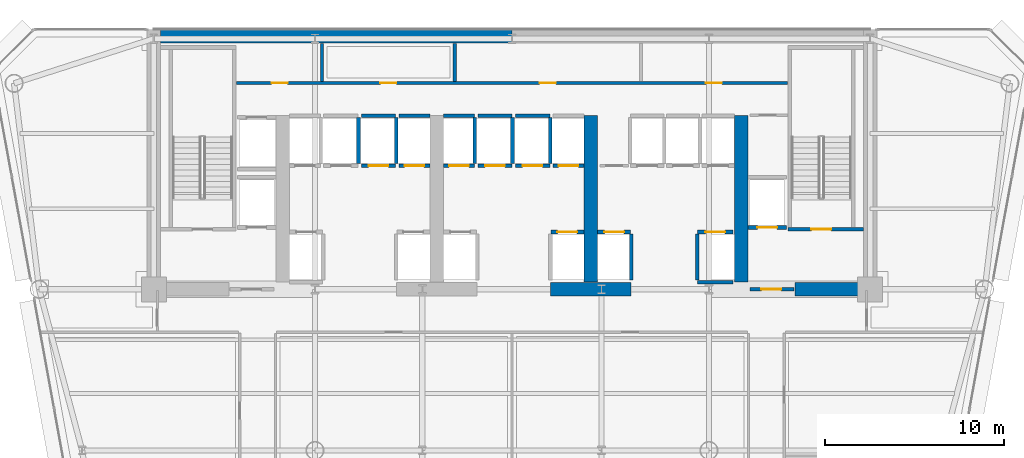
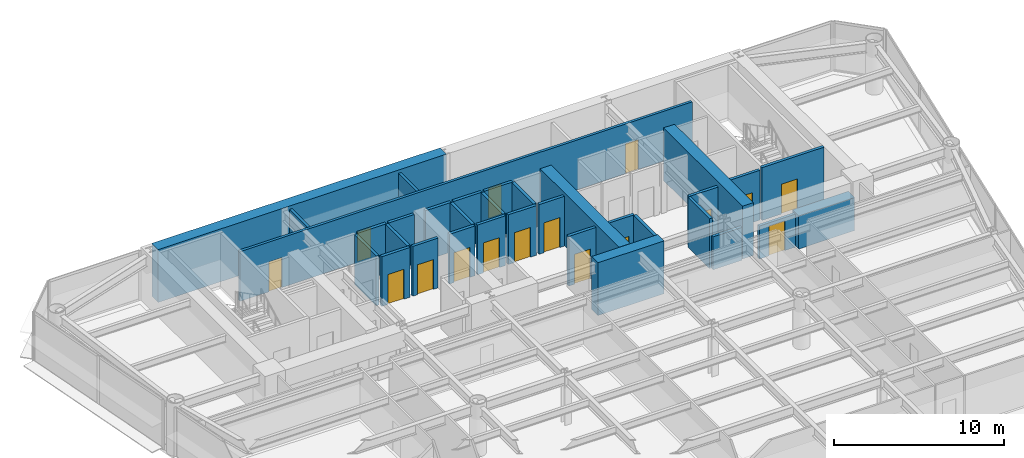
# One storey, part 9 of 14: 33 walls, 16 doors, 16 openings.
"""IFC4 building model written with IfcOpenShell, lengths in metres."""

from ifc_helpers import new_model, si_unit, direction, frame, frame_2d, origin, place, context, subcontext, project, spatial, rectangle, extrude, source, transform, mapped, material, layer, layer_set, type_object, element, fill, save


model = new_model("IFC4")

# Units and contexts
model_context = context("Model", 3, precision=1e-05, world=origin(), true_north=direction((0.0, 1.0)))
body_context = subcontext(model_context, "Body", "Model", "MODEL_VIEW")
ifc_project = project(units=[si_unit("LENGTHUNIT", "METRE"), si_unit("AREAUNIT", "SQUARE_METRE"), si_unit("VOLUMEUNIT", "CUBIC_METRE"), si_unit("PLANEANGLEUNIT", "RADIAN"), si_unit("MASSUNIT", "GRAM", prefix="KILO")], contexts=[model_context])

# Site, building, storey
site_placement = place(None, origin())
site = spatial("IfcSite", under=ifc_project, at=site_placement, CompositionType="ELEMENT")
building_placement = place(site_placement, origin())
building = spatial("IfcBuilding", under=site, at=building_placement, Name="Vaeldorn Concourse Tower", CompositionType="ELEMENT")
storey_placement = place(building_placement, frame((0.0, 0.0, 99.60009765625)))
storey = spatial("IfcBuildingStorey", under=building, at=storey_placement, Name="L25", CompositionType="ELEMENT", Elevation=99.60009765625)

# Walls
ifc_material_1 = material(Name="Concrete C60/75", Category="concrete")
ifc_layer_1 = layer(ifc_material_1, 0.75)
ifc_layer_set_1 = layer_set([ifc_layer_1], Name="Concrete C60/75")
wall_type_1 = type_object("IfcWallType", Name="WL-CORE-750", PredefinedType="SHEAR", material=ifc_layer_set_1)
wall_1_placement = place(storey_placement, frame((14.37890625, 50.625, 0.0), z_axis=(0.0, 0.0, 1.0), x_axis=(1.0, 0.0, 0.0)))
element("IfcWall", 1, at=wall_1_placement, inside=storey, type_object=wall_type_1, Name="Rear Core Shear Wall L25 N1", PredefinedType="SHEAR", context=body_context, shape_type="SweptSolid", body=[
    extrude(rectangle(XDim=19.619140625, YDim=0.75, at=frame_2d((9.8095703125, 0.0))), origin(), (0.0, 0.0, 1.0), 3.7998046875),
])
wall_2_placement = place(storey_placement, frame((36.14990234375, 36.5, 0.0), z_axis=(0.0, 0.0, 1.0), x_axis=(1.0, 0.0, 0.0)))
element("IfcWall", 2, at=wall_2_placement, inside=storey, type_object=wall_type_1, Name="Rear Core Shear Wall L25 S3", PredefinedType="SHEAR", context=body_context, shape_type="SweptSolid", body=[
    extrude(rectangle(XDim=4.5, YDim=0.75, at=frame_2d((2.25, 0.0))), origin(), (0.0, 0.0, 1.0), 3.7998046875),
])
wall_3_placement = place(storey_placement, frame((49.800048828125, 36.5, 0.0), z_axis=(0.0, 0.0, 1.0), x_axis=(1.0, 0.0, 0.0)))
element("IfcWall", 3, at=wall_3_placement, inside=storey, type_object=wall_type_1, Name="Rear Core Shear Wall L25 S4", PredefinedType="SHEAR", context=body_context, shape_type="SweptSolid", body=[
    extrude(rectangle(XDim=3.804931640625, YDim=0.75, at=frame_2d((1.90234375, 0.0))), origin(), (0.0, 0.0, 1.0), 2.3798828125),
])
for number, where, z_axis, x_axis, name in (
    (4, (38.39990234375, 36.89501953125, 0.0), (0.0, 0.0, 1.0), (0.0, 1.0, 0.0), "Rear Core Shear Wall L25 M3"),
    (5, (46.800048828125, 36.89501953125, 0.0), (0.0, 0.0, 1.0), (0.0, 1.0, 0.0), "Rear Core Shear Wall L25 M4"),
):
    element("IfcWall", number, at=place(storey_placement, frame(where, z_axis=z_axis, x_axis=x_axis)), inside=storey, type_object=wall_type_1, Name=name, PredefinedType="SHEAR", context=body_context, shape_type="SweptSolid", body=[
        extrude(rectangle(XDim=9.304931640625, YDim=0.75, at=frame_2d((4.65234375, 0.0))), origin(), (0.0, 0.0, 1.0), 3.7998046875),
    ])

# Wall, openings, doors
ifc_material_2 = material(Name="Gypsum Board Partition", Category="gypsum")
ifc_layer_2 = layer(ifc_material_2, 0.179931640625)
ifc_layer_set_2 = layer_set([ifc_layer_2], Name="Gypsum Board Partition")
wall_type_2 = type_object("IfcWallType", Name="WL-PLUMB-180", PredefinedType="PLUMBINGWALL", material=ifc_layer_set_2)
wall_4_placement = place(storey_placement, frame((18.6201171875, 48.02001953125, 0.0), z_axis=(0.0, 0.0, 1.0), x_axis=(1.0, 0.0, 0.0)))
wall_4 = element("IfcWall", 6, at=wall_4_placement, inside=storey, type_object=wall_type_2, Name="Interior Wall CW-L25-NS0", PredefinedType="PLUMBINGWALL", context=body_context, shape_type="SweptSolid", body=[
    extrude(rectangle(XDim=30.759765625, YDim=0.179931640625, at=frame_2d((15.3798828125, 0.0))), origin(), (0.0, 0.0, 1.0), 3.579833984375),
])
opening_1_placement = place(wall_4_placement, frame((1.955078125, 0.0, 0.0)))
opening_1 = element("IfcOpeningElement", 7, at=opening_1_placement, cuts=wall_4, Name="Opening D-03", PredefinedType="OPENING", context=body_context, shape_type="SweptSolid", body=[
    extrude(rectangle(XDim=0.89990234375, YDim=2.14990234375, at=frame_2d((0.449951171875, 1.074951171875))), frame((0.0, 0.10009765625, 0.0), z_axis=(0.0, -1.0, 0.0), x_axis=(1.0, 0.0, 0.0)), (0.0, 0.0, 1.0), 0.199951171875),
])
opening_2_placement = place(wall_4_placement, frame((8.030029296875, 0.0, 0.0)))
opening_2 = element("IfcOpeningElement", 8, at=opening_2_placement, cuts=wall_4, Name="Opening D-03", PredefinedType="OPENING", context=body_context, shape_type="SweptSolid", body=[
    extrude(rectangle(XDim=0.89990234375, YDim=2.14990234375, at=frame_2d((0.449951171875, 1.074951171875))), frame((0.0, 0.10009765625, 0.0), z_axis=(0.0, -1.0, 0.0), x_axis=(1.0, 0.0, 0.0)), (0.0, 0.0, 1.0), 0.199951171875),
])
opening_3_placement = place(wall_4_placement, frame((16.929931640625, 0.0, 0.0)))
opening_3 = element("IfcOpeningElement", 9, at=opening_3_placement, cuts=wall_4, Name="Opening D-03", PredefinedType="OPENING", context=body_context, shape_type="SweptSolid", body=[
    extrude(rectangle(XDim=0.89990234375, YDim=2.14990234375, at=frame_2d((0.449951171875, 1.074951171875))), frame((0.0, 0.10009765625, 0.0), z_axis=(0.0, -1.0, 0.0), x_axis=(1.0, 0.0, 0.0)), (0.0, 0.0, 1.0), 0.199951171875),
])
opening_4_placement = place(wall_4_placement, frame((26.205078125, 0.0, 0.0)))
opening_4 = element("IfcOpeningElement", 10, at=opening_4_placement, cuts=wall_4, Name="Opening D-03", PredefinedType="OPENING", context=body_context, shape_type="SweptSolid", body=[
    extrude(rectangle(XDim=0.89990234375, YDim=2.14990234375, at=frame_2d((0.449951171875, 1.074951171875))), frame((0.0, 0.10009765625, 0.0), z_axis=(0.0, -1.0, 0.0), x_axis=(1.0, 0.0, 0.0)), (0.0, 0.0, 1.0), 0.199951171875),
])
ifc_material_3 = material(Name="Acoustic Bronze-Framed Glass Door", Category="glass")
door_type_1 = type_object("IfcDoorType", Name="DR-INT-900", OperationType="NOTDEFINED", PredefinedType="DOOR", material=ifc_material_3)
shared_shape_1 = source(origin(), body_context, "Body", "SweptSolid", [
    extrude(rectangle(XDim=0.89990234375, YDim=2.14990234375, at=frame_2d((0.449951171875, 1.074951171875))), frame((0.0, 0.02490234375, 0.0), z_axis=(0.0, -1.0, 0.0), x_axis=(1.0, 0.0, 0.0)), (0.0, 0.0, 1.0), 0.050048828125),
])
door_1_placement = place(opening_1_placement, origin())
door_1 = element("IfcDoor", 11, at=door_1_placement, inside=storey, type_object=door_type_1, Name="Interior Door DR-L25-CS1", OperationType="SINGLE_SWING_LEFT", OverallHeight=2.14990234375, OverallWidth=0.89990234375, PredefinedType="DOOR", context=body_context, shape_type="MappedRepresentation", body=[
    mapped(shared_shape_1, transform((0.0, 0.0, 0.0), scale=1.0)),
])
fill(opening_1, door_1)
door_2_placement = place(opening_2_placement, origin())
door_2 = element("IfcDoor", 12, at=door_2_placement, inside=storey, type_object=door_type_1, Name="Interior Door DR-L25-CS2", OperationType="SINGLE_SWING_RIGHT", OverallHeight=2.14990234375, OverallWidth=0.89990234375, PredefinedType="DOOR", context=body_context, shape_type="MappedRepresentation", body=[
    mapped(shared_shape_1, transform((0.0, 0.0, 0.0), scale=1.0)),
])
fill(opening_2, door_2)
door_3_placement = place(opening_3_placement, origin())
door_3 = element("IfcDoor", 13, at=door_3_placement, inside=storey, type_object=door_type_1, Name="Interior Door DR-L25-CS3", OperationType="SINGLE_SWING_LEFT", OverallHeight=2.14990234375, OverallWidth=0.89990234375, PredefinedType="DOOR", context=body_context, shape_type="MappedRepresentation", body=[
    mapped(shared_shape_1, transform((0.0, 0.0, 0.0), scale=1.0)),
])
fill(opening_3, door_3)
door_4_placement = place(opening_4_placement, origin())
door_4 = element("IfcDoor", 14, at=door_4_placement, inside=storey, type_object=door_type_1, Name="Interior Door DR-L25-CS4", OperationType="SINGLE_SWING_RIGHT", OverallHeight=2.14990234375, OverallWidth=0.89990234375, PredefinedType="DOOR", context=body_context, shape_type="MappedRepresentation", body=[
    mapped(shared_shape_1, transform((0.0, 0.0, 0.0), scale=1.0)),
])
fill(opening_4, door_4)

# Walls
for number, where, z_axis, x_axis, name in (
    (15, (23.39990234375, 48.10009765625, 0.0), (0.0, 0.0, 1.0), (0.0, 1.0, 0.0), "Interior Wall CW-L25-NDIV1"),
    (16, (30.800048828125, 48.10009765625, 0.0), (0.0, 0.0, 1.0), (0.0, 1.0, 0.0), "Interior Wall CW-L25-NDIV2"),
):
    element("IfcWall", number, at=place(storey_placement, frame(where, z_axis=z_axis, x_axis=x_axis)), inside=storey, type_object=wall_type_2, Name=name, PredefinedType="PLUMBINGWALL", context=body_context, shape_type="SweptSolid", body=[
        extrude(rectangle(XDim=2.1298828125, YDim=0.179931640625, at=frame_2d((1.06494140625, 0.0))), origin(), (0.0, 0.0, 1.0), 3.579833984375),
    ])

# Wall, opening, door
ifc_material_4 = material(Name="Concrete C50/60", Category="concrete")
ifc_layer_3 = layer(ifc_material_4, 0.199951171875)
ifc_layer_set_3 = layer_set([ifc_layer_3], Name="Concrete C50/60")
wall_type_3 = type_object("IfcWallType", Name="WL-SHAFT-200", PredefinedType="SOLIDWALL", material=ifc_layer_set_3)
wall_5_placement = place(storey_placement, frame((49.39990234375, 39.85009765625, 0.0), z_axis=(0.0, 0.0, 1.0), x_axis=(1.0, 0.0, 0.0)))
wall_5 = element("IfcWall", 17, at=wall_5_placement, inside=storey, type_object=wall_type_3, Name="Stair Shaft Wall CW-L25-ST-2-S", PredefinedType="SOLIDWALL", context=body_context, shape_type="SweptSolid", body=[
    extrude(rectangle(XDim=4.22509765625, YDim=0.199951171875, at=frame_2d((2.112548828125, 0.0))), origin(), (0.0, 0.0, 1.0), 3.7998046875),
])
opening_5_placement = place(wall_5_placement, frame((1.324951171875, 0.0, 0.0)))
opening_5 = element("IfcOpeningElement", 18, at=opening_5_placement, cuts=wall_5, Name="Opening D-01", PredefinedType="OPENING", context=body_context, shape_type="SweptSolid", body=[
    extrude(rectangle(XDim=1.10009765625, YDim=2.14990234375, at=frame_2d((0.550048828125, 1.074951171875))), frame((0.0, 0.10986328125, 0.0), z_axis=(0.0, -1.0, 0.0), x_axis=(1.0, 0.0, 0.0)), (0.0, 0.0, 1.0), 0.219970703125),
])
ifc_material_5 = material(Name="Fire-Rated Timber and Steel Leaf", Category="steel")
door_type_2 = type_object("IfcDoorType", Name="DR-FD60-1100", OperationType="NOTDEFINED", PredefinedType="DOOR", material=ifc_material_5)
shared_shape_2 = source(origin(), body_context, "Body", "SweptSolid", [
    extrude(rectangle(XDim=1.10009765625, YDim=2.14990234375, at=frame_2d((0.550048828125, 1.074951171875))), frame((0.0, 0.02490234375, 0.0), z_axis=(0.0, -1.0, 0.0), x_axis=(1.0, 0.0, 0.0)), (0.0, 0.0, 1.0), 0.050048828125),
])
door_5_placement = place(opening_5_placement, origin())
door_5 = element("IfcDoor", 19, at=door_5_placement, inside=storey, type_object=door_type_2, Name="Interior Door DR-L25-ST-2", OperationType="SINGLE_SWING_RIGHT", OverallHeight=2.14990234375, OverallWidth=1.10009765625, PredefinedType="DOOR", context=body_context, shape_type="MappedRepresentation", body=[
    mapped(shared_shape_2, transform((0.0, 0.0, 0.0), scale=1.0)),
])
fill(opening_5, door_5)

wall_6_placement = place(storey_placement, frame((47.280029296875, 36.5, 0.0), z_axis=(0.0, 0.0, 1.0), x_axis=(1.0, 0.0, 0.0)))
wall_6 = element("IfcWall", 20, at=wall_6_placement, inside=storey, type_object=wall_type_3, Name="Interior Wall CW-L25-FF2S", PredefinedType="SOLIDWALL", context=body_context, shape_type="SweptSolid", body=[
    extrude(rectangle(XDim=2.469970703125, YDim=0.199951171875, at=frame_2d((1.23486328125, 0.0))), origin(), (0.0, 0.0, 1.0), 2.369873046875),
])
opening_6_placement = place(wall_6_placement, frame((0.64990234375, 0.0, 0.0)))
opening_6 = element("IfcOpeningElement", 21, at=opening_6_placement, cuts=wall_6, Name="Opening D-01", PredefinedType="OPENING", context=body_context, shape_type="SweptSolid", body=[
    extrude(rectangle(XDim=1.10009765625, YDim=2.14990234375, at=frame_2d((0.550048828125, 1.074951171875))), frame((0.0, 0.10986328125, 0.0), z_axis=(0.0, -1.0, 0.0), x_axis=(1.0, 0.0, 0.0)), (0.0, 0.0, 1.0), 0.219970703125),
])
door_6_placement = place(opening_6_placement, origin())
door_6 = element("IfcDoor", 22, at=door_6_placement, inside=storey, type_object=door_type_2, Name="Interior Door DR-L25-FF2W", OperationType="SINGLE_SWING_LEFT", OverallHeight=2.14990234375, OverallWidth=1.10009765625, PredefinedType="DOOR", context=body_context, shape_type="MappedRepresentation", body=[
    mapped(shared_shape_2, transform((0.0, 0.0, 0.0), scale=1.0)),
])
fill(opening_6, door_6)

# Wall
wall_7_placement = place(storey_placement, frame((25.429931640625, 43.52001953125, 0.0), z_axis=(0.0, 0.0, 1.0), x_axis=(0.0, 1.0, 0.0)))
element("IfcWall", 23, at=wall_7_placement, inside=storey, type_object=wall_type_3, Name="Interior Wall CW-L25-LFE-LF-04", PredefinedType="SOLIDWALL", context=body_context, shape_type="SweptSolid", body=[
    extrude(rectangle(XDim=2.56005859375, YDim=0.199951171875, at=frame_2d((1.280029296875, 0.0))), origin(), (0.0, 0.0, 1.0), 3.579833984375),
])

# Wall, opening, door
wall_8_placement = place(storey_placement, frame((25.590087890625, 43.39990234375, 0.0), z_axis=(0.0, 0.0, 1.0), x_axis=(1.0, 0.0, 0.0)))
wall_8 = element("IfcWall", 24, at=wall_8_placement, inside=storey, type_object=wall_type_3, Name="Interior Wall CW-L25-LF-LF-05", PredefinedType="SOLIDWALL", context=body_context, shape_type="SweptSolid", body=[
    extrude(rectangle(XDim=1.919921875, YDim=0.199951171875, at=frame_2d((0.9599609375, 0.0))), origin(), (0.0, 0.0, 1.0), 3.579833984375),
])
opening_7_placement = place(wall_8_placement, frame((0.409912109375, 0.0, 0.0)))
opening_7 = element("IfcOpeningElement", 25, at=opening_7_placement, cuts=wall_8, Name="Opening LD-1", PredefinedType="OPENING", context=body_context, shape_type="SweptSolid", body=[
    extrude(rectangle(XDim=1.10009765625, YDim=2.14990234375, at=frame_2d((0.550048828125, 1.074951171875))), frame((0.0, 0.10986328125, 0.0), z_axis=(0.0, -1.0, 0.0), x_axis=(1.0, 0.0, 0.0)), (0.0, 0.0, 1.0), 0.219970703125),
])
ifc_material_6 = material(Name="Anodised Bronze Aluminium", Category="aluminium")
door_type_3 = type_object("IfcDoorType", Name="DR-LIFT-SLIDE-1100", OperationType="DOUBLE_DOOR_SLIDING", PredefinedType="DOOR", material=ifc_material_6)
door_7_placement = place(opening_7_placement, origin())
door_7 = element("IfcDoor", 26, at=door_7_placement, inside=storey, type_object=door_type_3, Name="Lift Landing Door LD-L25-LF-05", OperationType="DOUBLE_DOOR_SLIDING", OverallHeight=2.14990234375, OverallWidth=1.10009765625, PredefinedType="DOOR", context=body_context, shape_type="MappedRepresentation", body=[
    mapped(shared_shape_2, transform((0.0, 0.0, 0.0), scale=1.0)),
])
fill(opening_7, door_7)

# Walls
wall_9_placement = place(storey_placement, frame((25.590087890625, 46.199951171875, 0.0), z_axis=(0.0, 0.0, 1.0), x_axis=(1.0, 0.0, 0.0)))
element("IfcWall", 27, at=wall_9_placement, inside=storey, type_object=wall_type_3, Name="Interior Wall CW-L25-LFB-LF-05", PredefinedType="SOLIDWALL", context=body_context, shape_type="SweptSolid", body=[
    extrude(rectangle(XDim=1.919921875, YDim=0.199951171875, at=frame_2d((0.9599609375, 0.0))), origin(), (0.0, 0.0, 1.0), 3.579833984375),
])
wall_10_placement = place(storey_placement, frame((27.530029296875, 43.52001953125, 0.0), z_axis=(0.0, 0.0, 1.0), x_axis=(0.0, 1.0, 0.0)))
element("IfcWall", 28, at=wall_10_placement, inside=storey, type_object=wall_type_3, Name="Interior Wall CW-L25-LFE-LF-05", PredefinedType="SOLIDWALL", context=body_context, shape_type="SweptSolid", body=[
    extrude(rectangle(XDim=2.56005859375, YDim=0.199951171875, at=frame_2d((1.280029296875, 0.0))), origin(), (0.0, 0.0, 1.0), 3.579833984375),
])

# Wall, opening, door
wall_11_placement = place(storey_placement, frame((27.68994140625, 43.39990234375, 0.0), z_axis=(0.0, 0.0, 1.0), x_axis=(1.0, 0.0, 0.0)))
wall_11 = element("IfcWall", 29, at=wall_11_placement, inside=storey, type_object=wall_type_3, Name="Interior Wall CW-L25-LF-LF-06", PredefinedType="SOLIDWALL", context=body_context, shape_type="SweptSolid", body=[
    extrude(rectangle(XDim=1.72509765625, YDim=0.199951171875, at=frame_2d((0.862548828125, 0.0))), origin(), (0.0, 0.0, 1.0), 3.579833984375),
])
opening_8_placement = place(wall_11_placement, frame((0.31201171875, 0.0, 0.0)))
opening_8 = element("IfcOpeningElement", 30, at=opening_8_placement, cuts=wall_11, Name="Opening LD-1", PredefinedType="OPENING", context=body_context, shape_type="SweptSolid", body=[
    extrude(rectangle(XDim=1.10009765625, YDim=2.14990234375, at=frame_2d((0.550048828125, 1.074951171875))), frame((0.0, 0.10986328125, 0.0), z_axis=(0.0, -1.0, 0.0), x_axis=(1.0, 0.0, 0.0)), (0.0, 0.0, 1.0), 0.219970703125),
])
door_8_placement = place(opening_8_placement, origin())
door_8 = element("IfcDoor", 31, at=door_8_placement, inside=storey, type_object=door_type_3, Name="Lift Landing Door LD-L25-LF-06", OperationType="DOUBLE_DOOR_SLIDING", OverallHeight=2.14990234375, OverallWidth=1.10009765625, PredefinedType="DOOR", context=body_context, shape_type="MappedRepresentation", body=[
    mapped(shared_shape_2, transform((0.0, 0.0, 0.0), scale=1.0)),
])
fill(opening_8, door_8)

# Wall
wall_12_placement = place(storey_placement, frame((27.68994140625, 46.199951171875, 0.0), z_axis=(0.0, 0.0, 1.0), x_axis=(1.0, 0.0, 0.0)))
element("IfcWall", 32, at=wall_12_placement, inside=storey, type_object=wall_type_3, Name="Interior Wall CW-L25-LFB-LF-06", PredefinedType="SOLIDWALL", context=body_context, shape_type="SweptSolid", body=[
    extrude(rectangle(XDim=1.72509765625, YDim=0.199951171875, at=frame_2d((0.862548828125, 0.0))), origin(), (0.0, 0.0, 1.0), 3.579833984375),
])

# Wall, opening, door
wall_13_placement = place(storey_placement, frame((36.169921875, 39.699951171875, 0.0), z_axis=(0.0, 0.0, 1.0), x_axis=(1.0, 0.0, 0.0)))
wall_13 = element("IfcWall", 33, at=wall_13_placement, inside=storey, type_object=wall_type_3, Name="Interior Wall CW-L25-LF-LF-08", PredefinedType="SOLIDWALL", context=body_context, shape_type="SweptSolid", body=[
    extrude(rectangle(XDim=1.844970703125, YDim=0.199951171875, at=frame_2d((0.92236328125, 0.0))), origin(), (0.0, 0.0, 1.0), 3.579833984375),
])
opening_9_placement = place(wall_13_placement, frame((0.3720703125, 0.0, 0.0)))
opening_9 = element("IfcOpeningElement", 34, at=opening_9_placement, cuts=wall_13, Name="Opening LD-1", PredefinedType="OPENING", context=body_context, shape_type="SweptSolid", body=[
    extrude(rectangle(XDim=1.10009765625, YDim=2.14990234375, at=frame_2d((0.550048828125, 1.074951171875))), frame((0.0, 0.10986328125, 0.0), z_axis=(0.0, -1.0, 0.0), x_axis=(1.0, 0.0, 0.0)), (0.0, 0.0, 1.0), 0.219970703125),
])
door_9_placement = place(opening_9_placement, origin())
door_9 = element("IfcDoor", 35, at=door_9_placement, inside=storey, type_object=door_type_3, Name="Lift Landing Door LD-L25-LF-08", OperationType="DOUBLE_DOOR_SLIDING", OverallHeight=2.14990234375, OverallWidth=1.10009765625, PredefinedType="DOOR", context=body_context, shape_type="MappedRepresentation", body=[
    mapped(shared_shape_2, transform((0.0, 0.0, 0.0), scale=1.0)),
])
fill(opening_9, door_9)

wall_14_placement = place(storey_placement, frame((30.18505859375, 43.39990234375, 0.0), z_axis=(0.0, 0.0, 1.0), x_axis=(1.0, 0.0, 0.0)))
wall_14 = element("IfcWall", 36, at=wall_14_placement, inside=storey, type_object=wall_type_3, Name="Interior Wall CW-L25-LF-LF-09", PredefinedType="SOLIDWALL", context=body_context, shape_type="SweptSolid", body=[
    extrude(rectangle(XDim=1.724853515625, YDim=0.199951171875, at=frame_2d((0.8623046875, 0.0))), origin(), (0.0, 0.0, 1.0), 3.579833984375),
])
opening_10_placement = place(wall_14_placement, frame((0.31298828125, 0.0, 0.0)))
opening_10 = element("IfcOpeningElement", 37, at=opening_10_placement, cuts=wall_14, Name="Opening LD-1", PredefinedType="OPENING", context=body_context, shape_type="SweptSolid", body=[
    extrude(rectangle(XDim=1.10009765625, YDim=2.14990234375, at=frame_2d((0.550048828125, 1.074951171875))), frame((0.0, 0.10986328125, 0.0), z_axis=(0.0, -1.0, 0.0), x_axis=(1.0, 0.0, 0.0)), (0.0, 0.0, 1.0), 0.219970703125),
])
door_10_placement = place(opening_10_placement, origin())
door_10 = element("IfcDoor", 38, at=door_10_placement, inside=storey, type_object=door_type_3, Name="Lift Landing Door LD-L25-LF-09", OperationType="DOUBLE_DOOR_SLIDING", OverallHeight=2.14990234375, OverallWidth=1.10009765625, PredefinedType="DOOR", context=body_context, shape_type="MappedRepresentation", body=[
    mapped(shared_shape_2, transform((0.0, 0.0, 0.0), scale=1.0)),
])
fill(opening_10, door_10)

# Walls
wall_15_placement = place(storey_placement, frame((30.18505859375, 46.199951171875, 0.0), z_axis=(0.0, 0.0, 1.0), x_axis=(1.0, 0.0, 0.0)))
element("IfcWall", 39, at=wall_15_placement, inside=storey, type_object=wall_type_3, Name="Interior Wall CW-L25-LFB-LF-09", PredefinedType="SOLIDWALL", context=body_context, shape_type="SweptSolid", body=[
    extrude(rectangle(XDim=1.724853515625, YDim=0.199951171875, at=frame_2d((0.8623046875, 0.0))), origin(), (0.0, 0.0, 1.0), 3.579833984375),
])
wall_16_placement = place(storey_placement, frame((31.929931640625, 43.52001953125, 0.0), z_axis=(0.0, 0.0, 1.0), x_axis=(0.0, 1.0, 0.0)))
element("IfcWall", 40, at=wall_16_placement, inside=storey, type_object=wall_type_3, Name="Interior Wall CW-L25-LFE-LF-09", PredefinedType="SOLIDWALL", context=body_context, shape_type="SweptSolid", body=[
    extrude(rectangle(XDim=2.56005859375, YDim=0.199951171875, at=frame_2d((1.280029296875, 0.0))), origin(), (0.0, 0.0, 1.0), 3.579833984375),
])

# Wall, opening, door
wall_17_placement = place(storey_placement, frame((32.090087890625, 43.39990234375, 0.0), z_axis=(0.0, 0.0, 1.0), x_axis=(1.0, 0.0, 0.0)))
wall_17 = element("IfcWall", 41, at=wall_17_placement, inside=storey, type_object=wall_type_3, Name="Interior Wall CW-L25-LF-LF-10", PredefinedType="SOLIDWALL", context=body_context, shape_type="SweptSolid", body=[
    extrude(rectangle(XDim=1.919921875, YDim=0.199951171875, at=frame_2d((0.9599609375, 0.0))), origin(), (0.0, 0.0, 1.0), 3.579833984375),
])
opening_11_placement = place(wall_17_placement, frame((0.409912109375, 0.0, 0.0)))
opening_11 = element("IfcOpeningElement", 42, at=opening_11_placement, cuts=wall_17, Name="Opening LD-1", PredefinedType="OPENING", context=body_context, shape_type="SweptSolid", body=[
    extrude(rectangle(XDim=1.10009765625, YDim=2.14990234375, at=frame_2d((0.550048828125, 1.074951171875))), frame((0.0, 0.10986328125, 0.0), z_axis=(0.0, -1.0, 0.0), x_axis=(1.0, 0.0, 0.0)), (0.0, 0.0, 1.0), 0.219970703125),
])
door_11_placement = place(opening_11_placement, origin())
door_11 = element("IfcDoor", 43, at=door_11_placement, inside=storey, type_object=door_type_3, Name="Lift Landing Door LD-L25-LF-10", OperationType="DOUBLE_DOOR_SLIDING", OverallHeight=2.14990234375, OverallWidth=1.10009765625, PredefinedType="DOOR", context=body_context, shape_type="MappedRepresentation", body=[
    mapped(shared_shape_2, transform((0.0, 0.0, 0.0), scale=1.0)),
])
fill(opening_11, door_11)

# Walls
wall_18_placement = place(storey_placement, frame((32.090087890625, 46.199951171875, 0.0), z_axis=(0.0, 0.0, 1.0), x_axis=(1.0, 0.0, 0.0)))
element("IfcWall", 44, at=wall_18_placement, inside=storey, type_object=wall_type_3, Name="Interior Wall CW-L25-LFB-LF-10", PredefinedType="SOLIDWALL", context=body_context, shape_type="SweptSolid", body=[
    extrude(rectangle(XDim=1.919921875, YDim=0.199951171875, at=frame_2d((0.9599609375, 0.0))), origin(), (0.0, 0.0, 1.0), 3.579833984375),
])
wall_19_placement = place(storey_placement, frame((34.030029296875, 43.52001953125, 0.0), z_axis=(0.0, 0.0, 1.0), x_axis=(0.0, 1.0, 0.0)))
element("IfcWall", 45, at=wall_19_placement, inside=storey, type_object=wall_type_3, Name="Interior Wall CW-L25-LFE-LF-10", PredefinedType="SOLIDWALL", context=body_context, shape_type="SweptSolid", body=[
    extrude(rectangle(XDim=2.56005859375, YDim=0.199951171875, at=frame_2d((1.280029296875, 0.0))), origin(), (0.0, 0.0, 1.0), 3.579833984375),
])

# Wall, opening, door
wall_20_placement = place(storey_placement, frame((34.18994140625, 43.39990234375, 0.0), z_axis=(0.0, 0.0, 1.0), x_axis=(1.0, 0.0, 0.0)))
wall_20 = element("IfcWall", 46, at=wall_20_placement, inside=storey, type_object=wall_type_3, Name="Interior Wall CW-L25-LF-LF-11", PredefinedType="SOLIDWALL", context=body_context, shape_type="SweptSolid", body=[
    extrude(rectangle(XDim=1.920166015625, YDim=0.199951171875, at=frame_2d((0.9599609375, 0.0))), origin(), (0.0, 0.0, 1.0), 3.579833984375),
])
opening_12_placement = place(wall_20_placement, frame((0.409912109375, 0.0, 0.0)))
opening_12 = element("IfcOpeningElement", 47, at=opening_12_placement, cuts=wall_20, Name="Opening LD-1", PredefinedType="OPENING", context=body_context, shape_type="SweptSolid", body=[
    extrude(rectangle(XDim=1.10009765625, YDim=2.14990234375, at=frame_2d((0.550048828125, 1.074951171875))), frame((0.0, 0.10986328125, 0.0), z_axis=(0.0, -1.0, 0.0), x_axis=(1.0, 0.0, 0.0)), (0.0, 0.0, 1.0), 0.219970703125),
])
door_12_placement = place(opening_12_placement, origin())
door_12 = element("IfcDoor", 48, at=door_12_placement, inside=storey, type_object=door_type_3, Name="Lift Landing Door LD-L25-LF-11", OperationType="DOUBLE_DOOR_SLIDING", OverallHeight=2.14990234375, OverallWidth=1.10009765625, PredefinedType="DOOR", context=body_context, shape_type="MappedRepresentation", body=[
    mapped(shared_shape_2, transform((0.0, 0.0, 0.0), scale=1.0)),
])
fill(opening_12, door_12)

# Walls
wall_21_placement = place(storey_placement, frame((34.18994140625, 46.199951171875, 0.0), z_axis=(0.0, 0.0, 1.0), x_axis=(1.0, 0.0, 0.0)))
element("IfcWall", 49, at=wall_21_placement, inside=storey, type_object=wall_type_3, Name="Interior Wall CW-L25-LFB-LF-11", PredefinedType="SOLIDWALL", context=body_context, shape_type="SweptSolid", body=[
    extrude(rectangle(XDim=1.920166015625, YDim=0.199951171875, at=frame_2d((0.9599609375, 0.0))), origin(), (0.0, 0.0, 1.0), 3.579833984375),
])
wall_22_placement = place(storey_placement, frame((36.1298828125, 43.52001953125, 0.0), z_axis=(0.0, 0.0, 1.0), x_axis=(0.0, 1.0, 0.0)))
element("IfcWall", 50, at=wall_22_placement, inside=storey, type_object=wall_type_3, Name="Interior Wall CW-L25-LFE-LF-11", PredefinedType="SOLIDWALL", context=body_context, shape_type="SweptSolid", body=[
    extrude(rectangle(XDim=2.56005859375, YDim=0.199951171875, at=frame_2d((1.280029296875, 0.0))), origin(), (0.0, 0.0, 1.0), 3.579833984375),
])

# Wall, opening, door
wall_23_placement = place(storey_placement, frame((36.2900390625, 43.39990234375, 0.0), z_axis=(0.0, 0.0, 1.0), x_axis=(1.0, 0.0, 0.0)))
wall_23 = element("IfcWall", 51, at=wall_23_placement, inside=storey, type_object=wall_type_3, Name="Interior Wall CW-L25-LF-LF-12", PredefinedType="SOLIDWALL", context=body_context, shape_type="SweptSolid", body=[
    extrude(rectangle(XDim=1.724853515625, YDim=0.199951171875, at=frame_2d((0.8623046875, 0.0))), origin(), (0.0, 0.0, 1.0), 3.579833984375),
])
opening_13_placement = place(wall_23_placement, frame((0.31298828125, 0.0, 0.0)))
opening_13 = element("IfcOpeningElement", 52, at=opening_13_placement, cuts=wall_23, Name="Opening LD-1", PredefinedType="OPENING", context=body_context, shape_type="SweptSolid", body=[
    extrude(rectangle(XDim=1.10009765625, YDim=2.14990234375, at=frame_2d((0.550048828125, 1.074951171875))), frame((0.0, 0.10986328125, 0.0), z_axis=(0.0, -1.0, 0.0), x_axis=(1.0, 0.0, 0.0)), (0.0, 0.0, 1.0), 0.219970703125),
])
door_13_placement = place(opening_13_placement, origin())
door_13 = element("IfcDoor", 53, at=door_13_placement, inside=storey, type_object=door_type_3, Name="Lift Landing Door LD-L25-LF-12", OperationType="DOUBLE_DOOR_SLIDING", OverallHeight=2.14990234375, OverallWidth=1.10009765625, PredefinedType="DOOR", context=body_context, shape_type="MappedRepresentation", body=[
    mapped(shared_shape_2, transform((0.0, 0.0, 0.0), scale=1.0)),
])
fill(opening_13, door_13)

wall_24_placement = place(storey_placement, frame((38.784912109375, 39.699951171875, 0.0), z_axis=(0.0, 0.0, 1.0), x_axis=(1.0, 0.0, 0.0)))
wall_24 = element("IfcWall", 54, at=wall_24_placement, inside=storey, type_object=wall_type_3, Name="Interior Wall CW-L25-LF-LF-13", PredefinedType="SOLIDWALL", context=body_context, shape_type="SweptSolid", body=[
    extrude(rectangle(XDim=1.844970703125, YDim=0.199951171875, at=frame_2d((0.92236328125, 0.0))), origin(), (0.0, 0.0, 1.0), 3.579833984375),
])
opening_14_placement = place(wall_24_placement, frame((0.373046875, 0.0, 0.0)))
opening_14 = element("IfcOpeningElement", 55, at=opening_14_placement, cuts=wall_24, Name="Opening LD-1", PredefinedType="OPENING", context=body_context, shape_type="SweptSolid", body=[
    extrude(rectangle(XDim=1.10009765625, YDim=2.14990234375, at=frame_2d((0.550048828125, 1.074951171875))), frame((0.0, 0.10986328125, 0.0), z_axis=(0.0, -1.0, 0.0), x_axis=(1.0, 0.0, 0.0)), (0.0, 0.0, 1.0), 0.219970703125),
])
door_14_placement = place(opening_14_placement, origin())
door_14 = element("IfcDoor", 56, at=door_14_placement, inside=storey, type_object=door_type_3, Name="Lift Landing Door LD-L25-LF-13", OperationType="DOUBLE_DOOR_SLIDING", OverallHeight=2.14990234375, OverallWidth=1.10009765625, PredefinedType="DOOR", context=body_context, shape_type="MappedRepresentation", body=[
    mapped(shared_shape_2, transform((0.0, 0.0, 0.0), scale=1.0)),
])
fill(opening_14, door_14)

# Wall
wall_25_placement = place(storey_placement, frame((40.64990234375, 37.02001953125, 0.0), z_axis=(0.0, 0.0, 1.0), x_axis=(0.0, 1.0, 0.0)))
element("IfcWall", 57, at=wall_25_placement, inside=storey, type_object=wall_type_3, Name="Interior Wall CW-L25-LFE-LF-13", PredefinedType="SOLIDWALL", context=body_context, shape_type="SweptSolid", body=[
    extrude(rectangle(XDim=2.56005859375, YDim=0.199951171875, at=frame_2d((1.280029296875, 0.0))), origin(), (0.0, 0.0, 1.0), 3.579833984375),
])

# Wall, opening, door
wall_26_placement = place(storey_placement, frame((44.3701171875, 39.699951171875, 0.0), z_axis=(0.0, 0.0, 1.0), x_axis=(1.0, 0.0, 0.0)))
wall_26 = element("IfcWall", 58, at=wall_26_placement, inside=storey, type_object=wall_type_3, Name="Interior Wall CW-L25-LF-LF-14", PredefinedType="SOLIDWALL", context=body_context, shape_type="SweptSolid", body=[
    extrude(rectangle(XDim=1.9599609375, YDim=0.199951171875, at=frame_2d((0.97998046875, 0.0))), origin(), (0.0, 0.0, 1.0), 3.579833984375),
])
opening_15_placement = place(wall_26_placement, frame((0.429931640625, 0.0, 0.0)))
opening_15 = element("IfcOpeningElement", 59, at=opening_15_placement, cuts=wall_26, Name="Opening LD-1", PredefinedType="OPENING", context=body_context, shape_type="SweptSolid", body=[
    extrude(rectangle(XDim=1.10009765625, YDim=2.14990234375, at=frame_2d((0.550048828125, 1.074951171875))), frame((0.0, 0.10986328125, 0.0), z_axis=(0.0, -1.0, 0.0), x_axis=(1.0, 0.0, 0.0)), (0.0, 0.0, 1.0), 0.219970703125),
])
door_15_placement = place(opening_15_placement, origin())
door_15 = element("IfcDoor", 60, at=door_15_placement, inside=storey, type_object=door_type_3, Name="Lift Landing Door LD-L25-LF-14", OperationType="DOUBLE_DOOR_SLIDING", OverallHeight=2.14990234375, OverallWidth=1.10009765625, PredefinedType="DOOR", context=body_context, shape_type="MappedRepresentation", body=[
    mapped(shared_shape_2, transform((0.0, 0.0, 0.0), scale=1.0)),
])
fill(opening_15, door_15)

# Walls
wall_27_placement = place(storey_placement, frame((44.3701171875, 36.89990234375, 0.0), z_axis=(0.0, 0.0, 1.0), x_axis=(1.0, 0.0, 0.0)))
element("IfcWall", 61, at=wall_27_placement, inside=storey, type_object=wall_type_3, Name="Interior Wall CW-L25-LFB-LF-14", PredefinedType="SOLIDWALL", context=body_context, shape_type="SweptSolid", body=[
    extrude(rectangle(XDim=1.9599609375, YDim=0.199951171875, at=frame_2d((0.97998046875, 0.0))), origin(), (0.0, 0.0, 1.0), 2.369873046875),
])
wall_28_placement = place(storey_placement, frame((44.35009765625, 37.02001953125, 0.0), z_axis=(0.0, 0.0, 1.0), x_axis=(0.0, 1.0, 0.0)))
element("IfcWall", 62, at=wall_28_placement, inside=storey, type_object=wall_type_3, Name="Interior Wall CW-L25-LFW-LF-14", PredefinedType="SOLIDWALL", context=body_context, shape_type="SweptSolid", body=[
    extrude(rectangle(XDim=2.56005859375, YDim=0.199951171875, at=frame_2d((1.280029296875, 0.0))), origin(), (0.0, 0.0, 1.0), 3.579833984375),
])

# Wall, opening, door
wall_29_placement = place(storey_placement, frame((47.18505859375, 39.949951171875, 0.0), z_axis=(0.0, 0.0, 1.0), x_axis=(1.0, 0.0, 0.0)))
wall_29 = element("IfcWall", 63, at=wall_29_placement, inside=storey, type_object=wall_type_3, Name="Interior Wall CW-L25-LF-LF-FF2", PredefinedType="SOLIDWALL", context=body_context, shape_type="SweptSolid", body=[
    extrude(rectangle(XDim=2.14501953125, YDim=0.199951171875, at=frame_2d((1.072509765625, 0.0))), origin(), (0.0, 0.0, 1.0), 3.579833984375),
])
opening_16_placement = place(wall_29_placement, frame((0.52197265625, 0.0, 0.0)))
opening_16 = element("IfcOpeningElement", 64, at=opening_16_placement, cuts=wall_29, Name="Opening LD-1", PredefinedType="OPENING", context=body_context, shape_type="SweptSolid", body=[
    extrude(rectangle(XDim=1.10009765625, YDim=2.14990234375, at=frame_2d((0.550048828125, 1.074951171875))), frame((0.0, 0.10986328125, 0.0), z_axis=(0.0, -1.0, 0.0), x_axis=(1.0, 0.0, 0.0)), (0.0, 0.0, 1.0), 0.219970703125),
])
door_16_placement = place(opening_16_placement, origin())
door_16 = element("IfcDoor", 65, at=door_16_placement, inside=storey, type_object=door_type_3, Name="Lift Landing Door LD-L25-LF-FF2", OperationType="DOUBLE_DOOR_SLIDING", OverallHeight=2.14990234375, OverallWidth=1.10009765625, PredefinedType="DOOR", context=body_context, shape_type="MappedRepresentation", body=[
    mapped(shared_shape_2, transform((0.0, 0.0, 0.0), scale=1.0)),
])
fill(opening_16, door_16)

save(model, "model.ifc")
